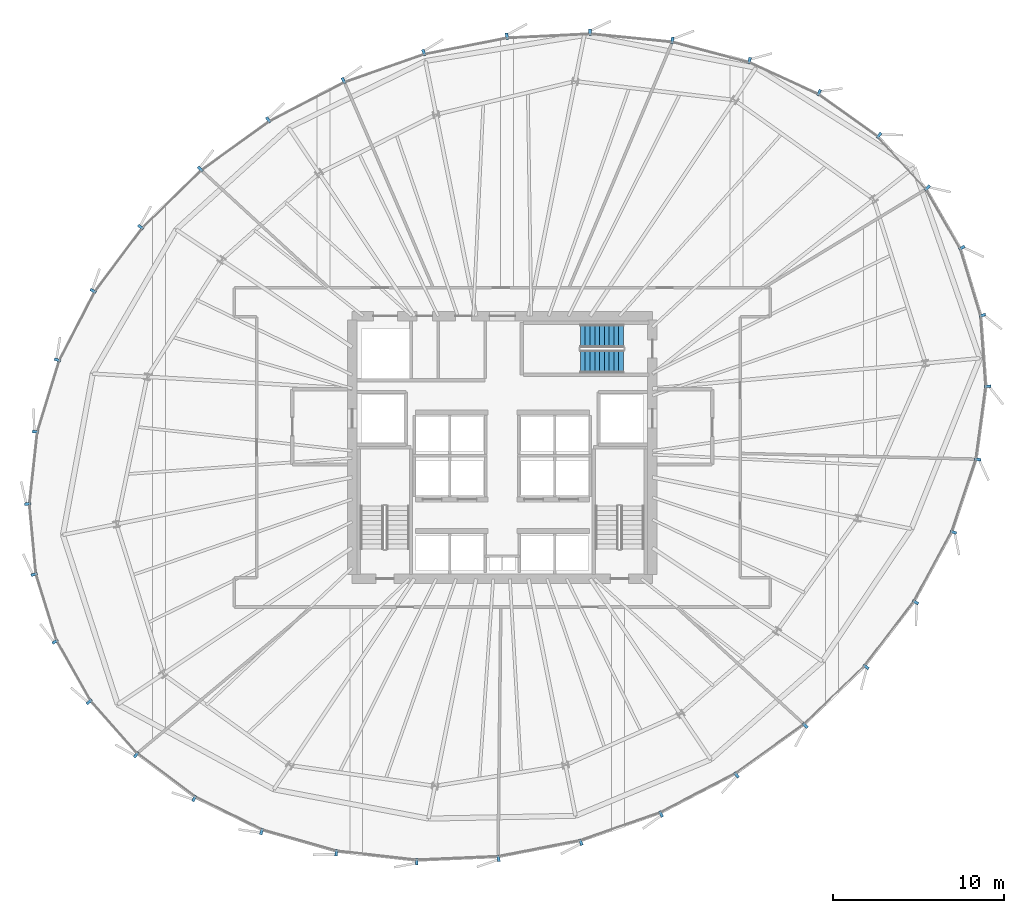
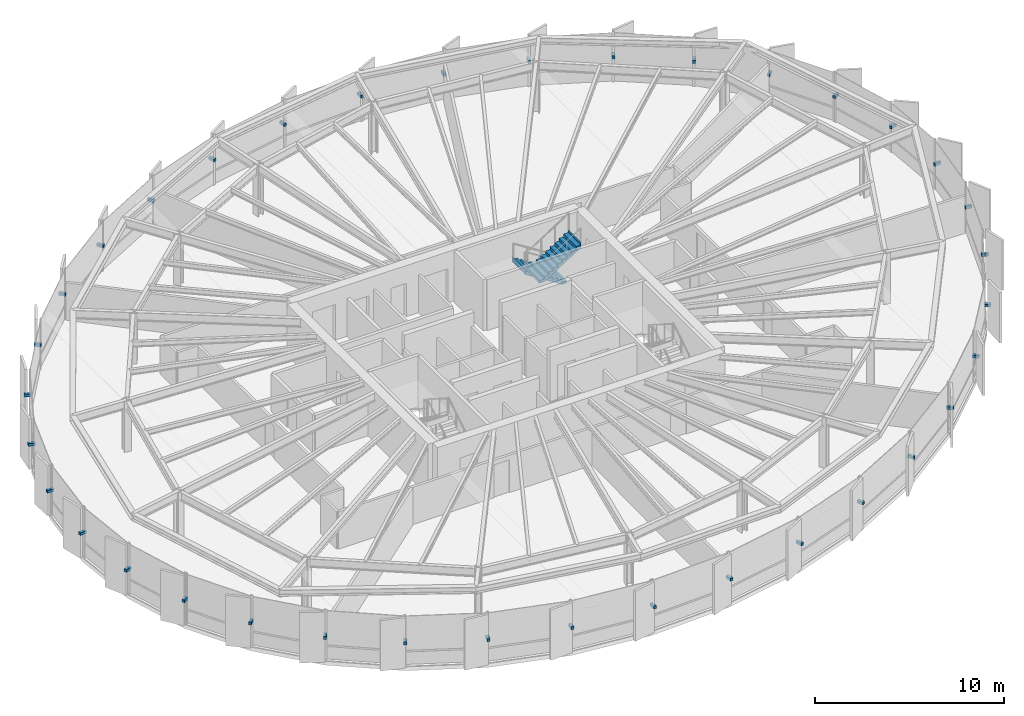
# One storey, part 30 of 34: 36 discrete accessories, 2 stair flights, 1 element without a shape of its own.
"""IFC4 building model written with IfcOpenShell, lengths in metres."""

from ifc_helpers import new_model, si_unit, direction, frame, origin, origin_2d, place, context, subcontext, project, spatial, polyline, rectangle, outline, extrude, source, transform, mapped, material, type_object, element, aggregate, save


model = new_model("IFC4")

# Units and contexts
model_context = context("Model", 3, precision=1e-05, world=origin(), true_north=direction((0.0, 1.0)))
body_context = subcontext(model_context, "Body", "Model", "MODEL_VIEW")
ifc_project = project(units=[si_unit("LENGTHUNIT", "METRE"), si_unit("AREAUNIT", "SQUARE_METRE"), si_unit("VOLUMEUNIT", "CUBIC_METRE"), si_unit("PLANEANGLEUNIT", "RADIAN"), si_unit("MASSUNIT", "GRAM", prefix="KILO"), si_unit("THERMODYNAMICTEMPERATUREUNIT", "KELVIN")], contexts=[model_context])

# Site, building, storey
site_placement = place(None, origin())
site = spatial("IfcSite", under=ifc_project, at=site_placement, CompositionType="ELEMENT")
building_placement = place(site_placement, origin())
building = spatial("IfcBuilding", under=site, at=building_placement, Name="Kethvar Cultural Tower", CompositionType="ELEMENT")
storey_placement = place(building_placement, frame((0.0, 0.0, 128.800048828125)))
storey = spatial("IfcBuildingStorey", under=building, at=storey_placement, Name="L32", CompositionType="ELEMENT", Elevation=128.800048828125)

# Stair, stair flights
ifc_material_1 = material(Name="Concrete C40/50", Category="concrete")
stair_type = type_object("IfcStairType", Name="ST-DOGLEG-135", PredefinedType="HALF_TURN_STAIR", material=ifc_material_1)
stair_placement = place(storey_placement, origin())
stair = element("IfcStair", 1, at=stair_placement, inside=storey, type_object=stair_type, Name="L32 Core Exit Stair 3", PredefinedType="HALF_TURN_STAIR")
stair_flight_type = type_object("IfcStairFlightType", Name="FL-STRAIGHT-135", PredefinedType="STRAIGHT", material=ifc_material_1)
stair_flight_1_placement = place(storey_placement, frame((53.89990234375, 34.3349609375, 0.0), z_axis=(0.0, 0.0, 1.0), x_axis=(-1.0, 0.0, 0.0)))
stair_flight_1 = element("IfcStairFlight", 2, at=stair_flight_1_placement, type_object=stair_flight_type, Name="ST-03 flight 1", NumberOfRisers=10, NumberOfTreads=9, PredefinedType="STRAIGHT", RiserHeight=0.1775, TreadLength=0.28, context=body_context, shape_type="SweptSolid", body=[
    extrude(outline(polyline([(-0.0009765625, -0.0009765625), (-0.0009765625, 0.177490234375), (0.280029296875, 0.177490234375), (0.280029296875, 0.35498046875), (0.56005859375, 0.35498046875), (0.56005859375, 0.532470703125), (0.840087890625, 0.532470703125), (0.840087890625, 0.7099609375), (1.1201171875, 0.7099609375), (1.1201171875, 0.887451171875), (1.39990234375, 0.887451171875), (1.39990234375, 1.06494140625), (1.679931640625, 1.06494140625), (1.679931640625, 1.242431640625), (1.9599609375, 1.242431640625), (1.9599609375, 1.419921875), (2.239990234375, 1.419921875), (2.239990234375, 1.597412109375), (2.52001953125, 1.597412109375), (2.52001953125, 1.77490234375), (2.52099609375, 1.77490234375), (2.52099609375, 1.419921875), (0.280029296875, 0.0), (0.0, -0.0009765625), (-0.0009765625, -0.0009765625)])), frame((0.0, 0.675048828125, 0.0), z_axis=(0.0, -1.0, 0.0), x_axis=(1.0, 0.0, 0.0)), (0.0, 0.0, 1.0), 1.35009765625),
])
stair_flight_2_placement = place(storey_placement, frame((51.3798828125, 32.824951171875, 1.77490234375), z_axis=(0.0, 0.0, 1.0), x_axis=(1.0, 0.0, 0.0)))
stair_flight_2 = element("IfcStairFlight", 3, at=stair_flight_2_placement, type_object=stair_flight_type, Name="ST-03 flight 2", NumberOfRisers=10, NumberOfTreads=9, PredefinedType="STRAIGHT", RiserHeight=0.1775, TreadLength=0.28, context=body_context, shape_type="SweptSolid", body=[
    extrude(outline(polyline([(-0.0009765625, -0.0009765625), (-0.0009765625, 0.177490234375), (0.280029296875, 0.177490234375), (0.280029296875, 0.35498046875), (0.56005859375, 0.35498046875), (0.56005859375, 0.532470703125), (0.840087890625, 0.532470703125), (0.840087890625, 0.7099609375), (1.1201171875, 0.7099609375), (1.1201171875, 0.887451171875), (1.39990234375, 0.887451171875), (1.39990234375, 1.06494140625), (1.679931640625, 1.06494140625), (1.679931640625, 1.242431640625), (1.9599609375, 1.242431640625), (1.9599609375, 1.419921875), (2.239990234375, 1.419921875), (2.239990234375, 1.597412109375), (2.52001953125, 1.597412109375), (2.52001953125, 1.77490234375), (2.52099609375, 1.77490234375), (2.52099609375, 1.419921875), (0.280029296875, 0.0), (0.0, -0.0009765625), (-0.0009765625, -0.0009765625)])), frame((0.0, 0.675048828125, 0.0), z_axis=(0.0, -1.0, 0.0), x_axis=(1.0, 0.0, 0.0)), (0.0, 0.0, 1.0), 1.35009765625),
])
aggregate(stair, [stair_flight_1, stair_flight_2])

# Discrete accessories
ifc_material_2 = material(Name="Steel S355J2", Category="steel")
discrete_accessory_type = type_object("IfcDiscreteAccessoryType", Name="Steel Fin Bracket BRK-01", PredefinedType="BRACKET", material=ifc_material_2)
shared_shape = source(origin(), body_context, "Body", "SweptSolid", [
    extrude(rectangle(XDim=0.3798828125, YDim=0.159912109375, at=origin_2d()), origin(), (0.0, 0.0, 1.0), 0.179931640625),
])
for number, where, z_axis, x_axis, name in (
    (4, (73.736083984375, 39.499755859375, 1.56005859375), (0.0, 0.0, 1.0), (0.866809733209, 0.498639034186, 0.0), "L32 Terracotta Fin Bracket 1.1"),
    (5, (71.7138671875, 43.014892578125, 1.56005859375), (0.0, 0.0, 1.0), (0.735978938766, 0.67700443255, 0.0), "L32 Terracotta Fin Bracket 1.2"),
    (6, (68.8857421875, 46.0888671875, 1.56005859375), (0.0, 0.0, 1.0), (0.580845036828, 0.814014154172, 0.0), "L32 Terracotta Fin Bracket 1.3"),
    (7, (65.3681640625, 48.5986328125, 1.56005859375), (0.0, 0.0, 1.0), (0.417391322773, 0.908726847669, 0.0), "L32 Terracotta Fin Bracket 1.4"),
    (8, (61.28271484375, 50.47509765625, 1.56005859375), (0.0, 0.0, 1.0), (0.255614496558, 0.966778790184, 0.0), "L32 Terracotta Fin Bracket 1.5"),
    (9, (56.77001953125, 51.667724609375, 1.56005859375), (0.0, 0.0, 1.0), (0.099667083604, 0.995020840207, 0.0), "L32 Terracotta Fin Bracket 1.6"),
    (10, (51.943603515625, 52.1455078125, 1.56005859375), (0.0, 0.0, 1.0), (-0.049547056062, 0.998771790368, 0.0), "L32 Terracotta Fin Bracket 2.1"),
    (11, (47.075439453125, 51.90380859375, 1.56005859375), (0.0, 0.0, 1.0), (-0.192864490548, 0.981225401366, 0.0), "L32 Terracotta Fin Bracket 2.2"),
    (12, (42.2001953125, 50.9453125, 1.56005859375), (0.0, 0.0, 1.0), (-0.330679112019, 0.943743251565, 0.0), "L32 Terracotta Fin Bracket 2.3"),
    (13, (37.49658203125, 49.29736328125, 1.56005859375), (0.0, 0.0, 1.0), (-0.461748613235, 0.887010833178, 0.0), "L32 Terracotta Fin Bracket 2.4"),
    (14, (33.084716796875, 47.00048828125, 1.56005859375), (0.0, 0.0, 1.0), (-0.584816108738, 0.81116590101, 0.0), "L32 Terracotta Fin Bracket 2.5"),
    (15, (29.089599609375, 44.1201171875, 1.56005859375), (0.0, 0.0, 1.0), (-0.698665066769, 0.715448897181, 0.0), "L32 Terracotta Fin Bracket 2.6"),
    (16, (25.609130859375, 40.712646484375, 1.56005859375), (0.0, 0.0, 1.0), (-0.801358227829, 0.598184746287, 0.0), "L32 Terracotta Fin Bracket 3.1"),
    (17, (22.818359375, 36.974609375, 1.56005859375), (0.0, 0.0, 1.0), (-0.888937213872, 0.458029070905, 0.0), "L32 Terracotta Fin Bracket 3.2"),
    (18, (20.73291015625, 32.926025390625, 1.56005859375), (0.0, 0.0, 1.0), (-0.955793014798, 0.294040325232, 0.0), "L32 Terracotta Fin Bracket 3.3"),
    (19, (19.439697265625, 28.7216796875, 1.56005859375), (0.0, 0.0, 1.0), (-0.994094279368, 0.108519877105, 0.0), "L32 Terracotta Fin Bracket 3.4"),
    (20, (18.9775390625, 24.489501953125, 1.56005859375), (0.0, 0.0, 1.0), (-0.995724698185, -0.092370587447, 0.0), "L32 Terracotta Fin Bracket 3.5"),
    (21, (19.361083984375, 20.357421875, 1.56005859375), (0.0, 0.0, 1.0), (-0.954708883255, -0.297541506743, 0.0), "L32 Terracotta Fin Bracket 3.6"),
    (22, (20.59765625, 16.417724609375, 1.56005859375), (0.0, 0.0, 1.0), (-0.870441626808, -0.492271646879, 0.0), "L32 Terracotta Fin Bracket 4.1"),
    (23, (22.5927734375, 12.89111328125, 1.56005859375), (0.0, 0.0, 1.0), (-0.748955720789, -0.662620048216, 0.0), "L32 Terracotta Fin Bracket 4.2"),
    (24, (25.34228515625, 9.783203125, 1.56005859375), (0.0, 0.0, 1.0), (-0.6013967761, -0.798950510167, 0.0), "L32 Terracotta Fin Bracket 4.3"),
    (25, (28.744140625, 7.22314453125, 1.56005859375), (0.0, 0.0, 1.0), (-0.439939169856, -0.898027575761, 0.0), "L32 Terracotta Fin Bracket 4.4"),
    (26, (32.6943359375, 5.288330078125, 1.56005859375), (0.0, 0.0, 1.0), (-0.274630573972, -0.961549815579, 0.0), "L32 Terracotta Fin Bracket 4.5"),
    (27, (37.072998046875, 4.03759765625, 1.56005859375), (0.0, 0.0, 1.0), (-0.112509542228, -0.993650644295, 0.0), "L32 Terracotta Fin Bracket 4.6"),
    (28, (41.7861328125, 3.510498046875, 1.56005859375), (0.0, 0.0, 1.0), (0.043270651098, -0.999063386755, 0.0), "L32 Terracotta Fin Bracket 5.1"),
    (29, (46.57470703125, 3.718017578125, 1.56005859375), (0.0, 0.0, 1.0), (0.190980318733, -0.981593866045, 0.0), "L32 Terracotta Fin Bracket 5.2"),
    (30, (51.4091796875, 4.65869140625, 1.56005859375), (0.0, 0.0, 1.0), (0.330514392713, -0.943800951583, 0.0), "L32 Terracotta Fin Bracket 5.3"),
    (31, (56.103515625, 6.302490234375, 1.56005859375), (0.0, 0.0, 1.0), (0.461593793608, -0.887091410004, 0.0), "L32 Terracotta Fin Bracket 5.4"),
    (32, (60.5244140625, 8.603515625, 1.56005859375), (0.0, 0.0, 1.0), (0.583257705184, -0.812287171722, 0.0), "L32 Terracotta Fin Bracket 5.5"),
    (33, (64.560546875, 11.50146484375, 1.56005859375), (0.0, 0.0, 1.0), (0.694156007298, -0.71982458803, 0.0), "L32 Terracotta Fin Bracket 5.6"),
    (34, (68.120849609375, 14.943115234375, 1.56005859375), (0.0, 0.0, 1.0), (0.793565789779, -0.608484459368, 0.0), "L32 Terracotta Fin Bracket 6.1"),
    (35, (71.024658203125, 18.730712890625, 1.56005859375), (0.0, 0.0, 1.0), (0.879731571553, -0.475470674188, 0.0), "L32 Terracotta Fin Bracket 6.2"),
    (36, (73.243896484375, 22.8369140625, 1.56005859375), (0.0, 0.0, 1.0), (0.94815738489, -0.317801153992, 0.0), "L32 Terracotta Fin Bracket 6.3"),
    (37, (74.6728515625, 27.099609375, 1.56005859375), (0.0, 0.0, 1.0), (0.991006569622, -0.133813224182, 0.0), "L32 Terracotta Fin Bracket 6.4"),
    (38, (75.2509765625, 31.38232421875, 1.56005859375), (0.0, 0.0, 1.0), (0.997327244511, 0.0730641318, 0.0), "L32 Terracotta Fin Bracket 6.5"),
    (39, (74.945556640625, 35.548095703125, 1.56005859375), (0.0, 0.0, 1.0), (0.956864306588, 0.290535193698, 0.0), "L32 Terracotta Fin Bracket 6.6"),
):
    element("IfcDiscreteAccessory", number, at=place(storey_placement, frame(where, z_axis=z_axis, x_axis=x_axis)), inside=storey, type_object=discrete_accessory_type, Name=name, PredefinedType="BRACKET", context=body_context, shape_type="MappedRepresentation", body=[
        mapped(shared_shape, transform((0.0, 0.0, 0.0), scale=1.0)),
    ])

save(model, "model.ifc")
